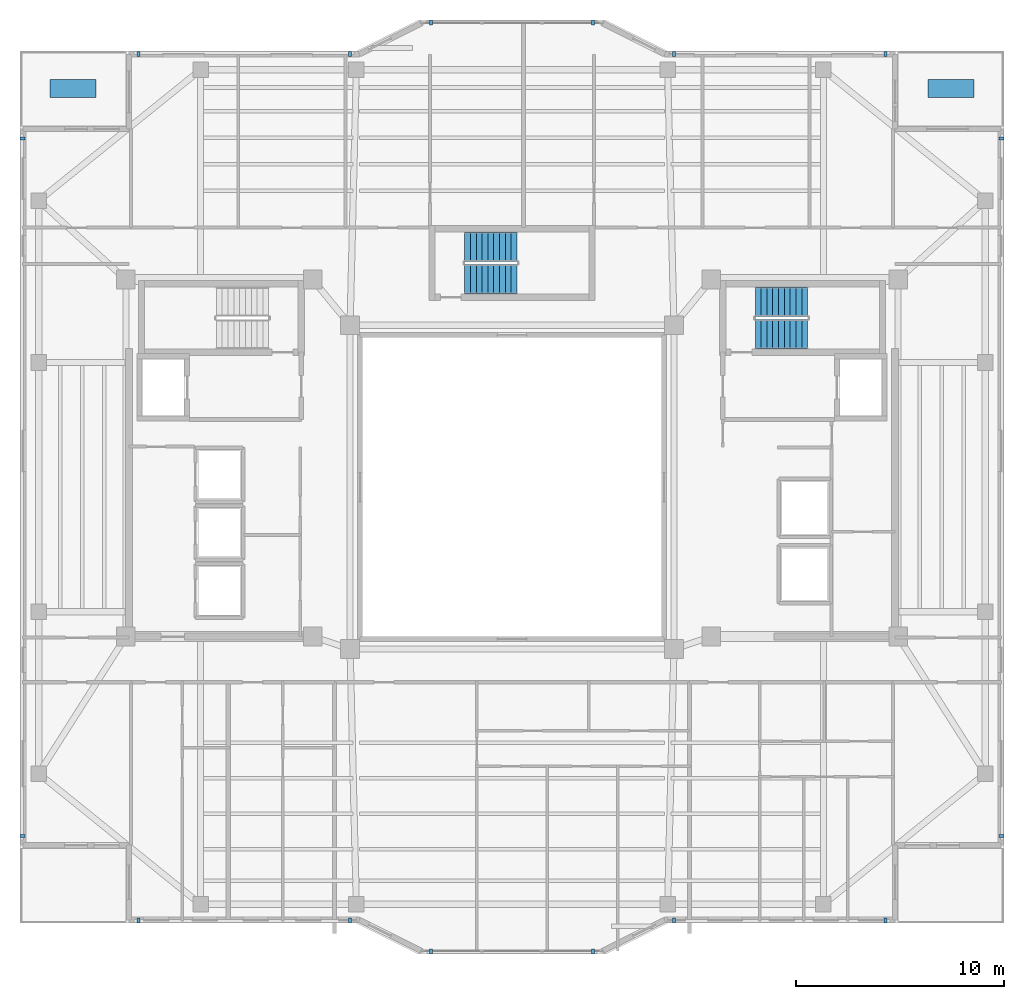
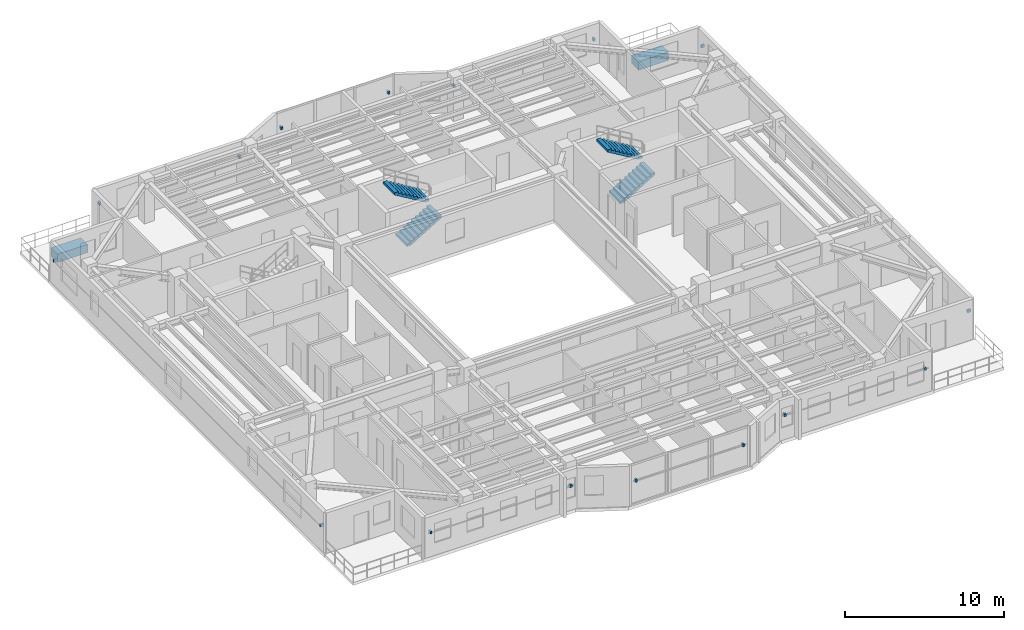
# One storey, part 11 of 15: 18 discrete accessories, 4 stair flights, 2 elements without a shape of their own.
"""IFC4 building model written with IfcOpenShell, lengths in metres."""

import ifcopenshell
import ifcopenshell.guid

model = None  # the IFC model being written
_history = None  # IfcOwnerHistory: only IFC2X3 demands one
_inside = {}  # id of a spatial element -> (the spatial element, [elements in it])
_under = {}  # id of a project, library or spatial element -> (it, [spatial elements below it])
_declared = {}  # id of a project -> (the project, [libraries it declares])
_typed = {}  # id of a type object -> (the type object, [elements of that type])
_made_of = {}  # id of a material, layer set ... -> (it, [elements and type objects made of it])


def new_model(schema):
    """Start an empty IFC model of exactly this schema.

    Asked for "IFC4X3", IfcOpenShell would pick the latest addendum, in which some entities
    have other attributes; the version numbers below select the first issue.
    IFC2X3 requires an IfcOwnerHistory on every rooted entity: one is made here for all.
    """
    global model, _history
    if schema == "IFC4X3":
        model = ifcopenshell.file(schema_version=(4, 3, 0, 0))
    else:
        model = ifcopenshell.file(schema=schema)
    _inside.clear()
    _under.clear()
    _declared.clear()
    _typed.clear()
    _made_of.clear()
    _history = None
    if model.schema == "IFC2X3":
        org = make("IfcOrganization", Name="unknown")
        user = make(
            "IfcPersonAndOrganization",
            ThePerson=make("IfcPerson", FamilyName="unknown"),
            TheOrganization=org,
        )
        app = make(
            "IfcApplication",
            ApplicationDeveloper=org,
            Version="unknown",
            ApplicationFullName="unknown",
            ApplicationIdentifier="unknown",
        )
        _history = make(
            "IfcOwnerHistory",
            OwningUser=user,
            OwningApplication=app,
            ChangeAction="ADDED",
            CreationDate=0,
        )
    return model


def make(cls, **values):
    """One entity of the class cls with the attributes given. An attribute that is None is left unset."""
    return model.create_entity(
        cls, **{name: value for name, value in values.items() if value is not None}
    )


def rooted(cls, **values):
    """An entity with a GlobalId (a new one), such as an element, a storey or a relation."""
    return make(cls, GlobalId=ifcopenshell.guid.new(), OwnerHistory=_history, **values)


def si_unit(unit_type, name, prefix=None):
    """IfcSIUnit, for example si_unit("LENGTHUNIT", "METRE", prefix="MILLI")."""
    return make("IfcSIUnit", UnitType=unit_type, Prefix=prefix, Name=name)


def assignment(units):
    """IfcUnitAssignment: the units of a project."""
    return None if units is None else make("IfcUnitAssignment", Units=units)


def point(xyz):
    """IfcCartesianPoint."""
    return None if xyz is None else make("IfcCartesianPoint", Coordinates=xyz)


def direction(xyz):
    """IfcDirection."""
    return None if xyz is None else make("IfcDirection", DirectionRatios=xyz)


def frame(location, z_axis=None, x_axis=None):
    """IfcAxis2Placement3D, a coordinate frame: its origin and axes. An axis left out is left unset."""
    return make(
        "IfcAxis2Placement3D",
        Location=point(location),
        Axis=direction(z_axis),
        RefDirection=direction(x_axis),
    )


def frame_2d(location, x_axis=None):
    """IfcAxis2Placement2D, a coordinate frame in the plane: its origin and x axis."""
    return make(
        "IfcAxis2Placement2D", Location=point(location), RefDirection=direction(x_axis)
    )


def origin():
    """The frame at (0, 0, 0) with its axes left unset."""
    return frame((0.0, 0.0, 0.0))


def origin_2d():
    """The frame at (0, 0) in the plane with its x axis left unset."""
    return frame_2d((0.0, 0.0))


def place(relative_to, where):
    """IfcLocalPlacement: puts the frame where relative to a parent placement (None: the world)."""
    return make(
        "IfcLocalPlacement", PlacementRelTo=relative_to, RelativePlacement=where
    )


def context(
    kind, dimensions, precision=None, world=None, true_north=None, identifier=None
):
    """IfcGeometricRepresentationContext, for example the 3D "Model" context."""
    return make(
        "IfcGeometricRepresentationContext",
        ContextIdentifier=identifier,
        ContextType=kind,
        CoordinateSpaceDimension=dimensions,
        Precision=precision,
        WorldCoordinateSystem=world,
        TrueNorth=true_north,
    )


def subcontext(parent, identifier, kind, view, scale=None):
    """IfcGeometricRepresentationSubContext, for example "Body" below "Model"."""
    return make(
        "IfcGeometricRepresentationSubContext",
        ContextIdentifier=identifier,
        ContextType=kind,
        ParentContext=parent,
        TargetScale=scale,
        TargetView=view,
    )


def project(units=None, contexts=None):
    """IfcProject with its units and contexts."""
    return rooted(
        "IfcProject",
        Name="project",
        RepresentationContexts=contexts,
        UnitsInContext=assignment(units),
    )


def spatial(cls, under=None, at=None, **own):
    """A site, building, storey or space (cls), placed at a placement, below another one or the project."""
    s = rooted(cls, ObjectPlacement=at, **own)
    if under is not None:
        _under.setdefault(under.id(), (under, []))[1].append(s)
    return s


def polyline(points):
    """IfcPolyline through the points."""
    return make("IfcPolyline", Points=[point(p) for p in points])


def profile(cls, at=None, kind="AREA", **sizes):
    """A parametric profile (cls). Its sizes go by their IFC names, for example OverallWidth=200.0."""
    return make(cls, ProfileType=kind, Position=at, **sizes)


def rectangle(**sizes):
    """IfcRectangleProfileDef."""
    return profile("IfcRectangleProfileDef", **sizes)


def outline(outer, holes=None, kind="AREA"):
    """IfcArbitraryClosedProfileDef: a profile drawn as a closed curve; with holes, ...WithVoids."""
    if holes is None:
        return make("IfcArbitraryClosedProfileDef", ProfileType=kind, OuterCurve=outer)
    return make(
        "IfcArbitraryProfileDefWithVoids",
        ProfileType=kind,
        OuterCurve=outer,
        InnerCurves=holes,
    )


def extrude(swept, where, along, depth):
    """IfcExtrudedAreaSolid: the profile swept, set in the frame where, extruded along a direction by depth."""
    return make(
        "IfcExtrudedAreaSolid",
        SweptArea=swept,
        Position=where,
        ExtrudedDirection=direction(along),
        Depth=depth,
    )


def shape(context_of_items, identifier, shape_type, items):
    """IfcShapeRepresentation: the items that make up one representation, for example the "Body"."""
    return make(
        "IfcShapeRepresentation",
        ContextOfItems=context_of_items,
        RepresentationIdentifier=identifier,
        RepresentationType=shape_type,
        Items=items,
    )


def material(Name=None, Category=None):
    """IfcMaterial."""
    return make("IfcMaterial", Name=Name, Category=Category)


def made_of(thing, what):
    """Note that an element or type object is made of a material, layer set ...; save() writes the relation."""
    if what is not None:
        _made_of.setdefault(what.id(), (what, []))[1].append(thing)
    return thing


def type_object(cls, material=None, **own):
    """A type object (cls), such as IfcWallType, which elements share."""
    return made_of(rooted(cls, **own), material)


def element(
    cls,
    number,
    at=None,
    inside=None,
    cuts=None,
    type_object=None,
    material=None,
    context=None,
    identifier="Body",
    shape_type=None,
    held_by="IfcProductDefinitionShape",
    body=None,
    shapes=None,
    **own,
):
    """One element of the class cls, such as IfcWall. Its Tag is "e" and its number.

    at: its placement. inside: the storey or other place that contains it. cuts: it is an
    opening in that element (IfcRelVoidsElement). A single representation is given by context,
    identifier, shape_type and body (its items); several are given by shapes. held_by: the class
    of the entity that holds the representations. save() writes the other relations.
    """
    e = rooted(cls, Tag="e%d" % number, ObjectPlacement=at, **own)
    if body is not None:
        shapes = [shape(context, identifier, shape_type, body)]
    if shapes is not None:
        e.Representation = make(held_by, Representations=shapes)
    if inside is not None:
        _inside.setdefault(inside.id(), (inside, []))[1].append(e)
    if cuts is not None:
        rooted(
            "IfcRelVoidsElement", RelatingBuildingElement=cuts, RelatedOpeningElement=e
        )
    if type_object is not None:
        _typed.setdefault(type_object.id(), (type_object, []))[1].append(e)
    return made_of(e, material)


def aggregate(whole, parts):
    """IfcRelAggregates: a whole, such as a stair, and the parts it consists of."""
    return rooted("IfcRelAggregates", RelatingObject=whole, RelatedObjects=parts)


def save(model, path):
    """Write the relations noted so far, then the file.

    IfcRelAggregates (storeys below a building ...), IfcRelContainedInSpatialStructure (elements
    in a storey), IfcRelDefinesByType, IfcRelAssociatesMaterial and IfcRelDeclares: one each for
    every whole, place, type object, material and project.
    """
    for whole, parts in _under.values():
        aggregate(whole, parts)
    for where, things in _inside.values():
        rooted(
            "IfcRelContainedInSpatialStructure",
            RelatedElements=things,
            RelatingStructure=where,
        )
    for kind, things in _typed.values():
        rooted("IfcRelDefinesByType", RelatedObjects=things, RelatingType=kind)
    for what, things in _made_of.values():
        rooted("IfcRelAssociatesMaterial", RelatedObjects=things, RelatingMaterial=what)
    for by, libraries in _declared.values():
        rooted("IfcRelDeclares", RelatingContext=by, RelatedDefinitions=libraries)
    model.write(path)


model = new_model("IFC4")

# Units and contexts
model_context = context("Model", 3, precision=1e-05, world=origin(), true_north=direction((0.0, 1.0)))
body_context = subcontext(model_context, "Body", "Model", "MODEL_VIEW")
ifc_project = project(units=[si_unit("LENGTHUNIT", "METRE"), si_unit("AREAUNIT", "SQUARE_METRE"), si_unit("VOLUMEUNIT", "CUBIC_METRE"), si_unit("PLANEANGLEUNIT", "RADIAN"), si_unit("MASSUNIT", "GRAM", prefix="KILO")], contexts=[model_context])

# Site, building, storey
site_placement = place(None, origin())
site = spatial("IfcSite", under=ifc_project, at=site_placement, CompositionType="ELEMENT")
building_placement = place(site_placement, origin())
building = spatial("IfcBuilding", under=site, at=building_placement, Name="Tarnavaz Court Tower", CompositionType="ELEMENT")
storey_placement = place(building_placement, frame((0.0, 0.0, 186.89990234375)))
storey = spatial("IfcBuildingStorey", under=building, at=storey_placement, Name="L50", CompositionType="ELEMENT", Elevation=186.89990234375)

# Stair, stair flights
ifc_material_1 = material(Name="Concrete C40/50", Category="concrete")
stair_type = type_object("IfcStairType", Name="ST-TWR-20R", PredefinedType="HALF_TURN_STAIR", material=ifc_material_1)
stair_1_placement = place(storey_placement, origin())
stair_1 = element("IfcStair", 1, at=stair_1_placement, inside=storey, type_object=stair_type, Name="L50 East Core Pressurized Exit Stair ST-E1", PredefinedType="HALF_TURN_STAIR")
stair_flight_type = type_object("IfcStairFlightType", Name="SFL-RC-20R", PredefinedType="STRAIGHT", material=ifc_material_1)
stair_flight_1_placement = place(storey_placement, frame((11.719970703125, 7.360107421875, 0.0), z_axis=(0.0, 0.0, 1.0), x_axis=(1.0, 0.0, 0.0)))
stair_flight_1 = element("IfcStairFlight", 2, at=stair_flight_1_placement, type_object=stair_flight_type, Name="ST-E1 flight 1", NumberOfRisers=10, NumberOfTreads=9, PredefinedType="STRAIGHT", RiserHeight=0.1675, TreadLength=0.28, context=body_context, shape_type="SweptSolid", body=[
    extrude(outline(polyline([(0.0, 0.0), (0.0, 0.16748046875), (0.280029296875, 0.16748046875), (0.280029296875, 0.3349609375), (0.56005859375, 0.3349609375), (0.56005859375, 0.50244140625), (0.840087890625, 0.50244140625), (0.840087890625, 0.669921875), (1.1201171875, 0.669921875), (1.1201171875, 0.83740234375), (1.39990234375, 0.83740234375), (1.39990234375, 1.0048828125), (1.679931640625, 1.0048828125), (1.679931640625, 1.172607421875), (1.9599609375, 1.172607421875), (1.9599609375, 1.340087890625), (2.239990234375, 1.340087890625), (2.239990234375, 1.507568359375), (2.52001953125, 1.507568359375), (2.52001953125, 1.675048828125), (2.52001953125, 1.332763671875), (0.2919921875, 0.0), (0.0, 0.0)])), frame((0.0, 0.7099609375, 0.0), z_axis=(0.0, -1.0, 0.0), x_axis=(1.0, 0.0, 0.0)), (0.0, 0.0, 1.0), 1.419921875),
])
stair_flight_2_placement = place(storey_placement, frame((14.239990234375, 8.929931640625, 1.675048828125), z_axis=(0.0, 0.0, 1.0), x_axis=(-1.0, 0.0, 0.0)))
stair_flight_2 = element("IfcStairFlight", 3, at=stair_flight_2_placement, type_object=stair_flight_type, Name="ST-E1 flight 2", NumberOfRisers=10, NumberOfTreads=9, PredefinedType="STRAIGHT", RiserHeight=0.1675, TreadLength=0.28, context=body_context, shape_type="SweptSolid", body=[
    extrude(outline(polyline([(0.0, 0.0), (0.0, 0.16748046875), (0.280029296875, 0.16748046875), (0.280029296875, 0.3349609375), (0.56005859375, 0.3349609375), (0.56005859375, 0.50244140625), (0.840087890625, 0.50244140625), (0.840087890625, 0.669921875), (1.1201171875, 0.669921875), (1.1201171875, 0.83740234375), (1.39990234375, 0.83740234375), (1.39990234375, 1.0048828125), (1.679931640625, 1.0048828125), (1.679931640625, 1.172607421875), (1.9599609375, 1.172607421875), (1.9599609375, 1.340087890625), (2.239990234375, 1.340087890625), (2.239990234375, 1.507568359375), (2.52001953125, 1.507568359375), (2.52001953125, 1.675048828125), (2.52001953125, 1.332763671875), (0.2919921875, 0.0), (0.0, 0.0)])), frame((0.0, 0.7099609375, 0.0), z_axis=(0.0, -1.0, 0.0), x_axis=(1.0, 0.0, 0.0)), (0.0, 0.0, 1.0), 1.419921875),
])
aggregate(stair_1, [stair_flight_1, stair_flight_2])

stair_2_placement = place(storey_placement, origin())
stair_2 = element("IfcStair", 4, at=stair_2_placement, inside=storey, type_object=stair_type, Name="L50 North Ring Pressurized Exit Stair ST-N1", PredefinedType="HALF_TURN_STAIR")
stair_flight_3_placement = place(storey_placement, frame((-2.280029296875, 10.010009765625, 0.0), z_axis=(0.0, 0.0, 1.0), x_axis=(1.0, 0.0, 0.0)))
stair_flight_3 = element("IfcStairFlight", 5, at=stair_flight_3_placement, type_object=stair_flight_type, Name="ST-N1 flight 1", NumberOfRisers=10, NumberOfTreads=9, PredefinedType="STRAIGHT", RiserHeight=0.1675, TreadLength=0.28, context=body_context, shape_type="SweptSolid", body=[
    extrude(outline(polyline([(0.0, 0.0), (0.0, 0.16748046875), (0.280029296875, 0.16748046875), (0.280029296875, 0.3349609375), (0.56005859375, 0.3349609375), (0.56005859375, 0.50244140625), (0.840087890625, 0.50244140625), (0.840087890625, 0.669921875), (1.1201171875, 0.669921875), (1.1201171875, 0.83740234375), (1.39990234375, 0.83740234375), (1.39990234375, 1.0048828125), (1.679931640625, 1.0048828125), (1.679931640625, 1.172607421875), (1.9599609375, 1.172607421875), (1.9599609375, 1.340087890625), (2.239990234375, 1.340087890625), (2.239990234375, 1.507568359375), (2.52001953125, 1.507568359375), (2.52001953125, 1.675048828125), (2.52001953125, 1.332763671875), (0.2919921875, 0.0), (0.0, 0.0)])), frame((0.0, 0.7099609375, 0.0), z_axis=(0.0, -1.0, 0.0), x_axis=(1.0, 0.0, 0.0)), (0.0, 0.0, 1.0), 1.419921875),
])
stair_flight_4_placement = place(storey_placement, frame((0.239990234375, 11.580078125, 1.675048828125), z_axis=(0.0, 0.0, 1.0), x_axis=(-1.0, 0.0, 0.0)))
stair_flight_4 = element("IfcStairFlight", 6, at=stair_flight_4_placement, type_object=stair_flight_type, Name="ST-N1 flight 2", NumberOfRisers=10, NumberOfTreads=9, PredefinedType="STRAIGHT", RiserHeight=0.1675, TreadLength=0.28, context=body_context, shape_type="SweptSolid", body=[
    extrude(outline(polyline([(0.0, 0.0), (0.0, 0.16748046875), (0.280029296875, 0.16748046875), (0.280029296875, 0.3349609375), (0.56005859375, 0.3349609375), (0.56005859375, 0.50244140625), (0.840087890625, 0.50244140625), (0.840087890625, 0.669921875), (1.1201171875, 0.669921875), (1.1201171875, 0.83740234375), (1.39990234375, 0.83740234375), (1.39990234375, 1.0048828125), (1.679931640625, 1.0048828125), (1.679931640625, 1.172607421875), (1.9599609375, 1.172607421875), (1.9599609375, 1.340087890625), (2.239990234375, 1.340087890625), (2.239990234375, 1.507568359375), (2.52001953125, 1.507568359375), (2.52001953125, 1.675048828125), (2.52001953125, 1.332763671875), (0.2919921875, 0.0), (0.0, 0.0)])), frame((0.0, 0.7099609375, 0.0), z_axis=(0.0, -1.0, 0.0), x_axis=(1.0, 0.0, 0.0)), (0.0, 0.0, 1.0), 1.419921875),
])
aggregate(stair_2, [stair_flight_3, stair_flight_4])

# Discrete accessories
ifc_material_2 = material(Name="Anodised Aluminium 6063-T6", Category="aluminium")
discrete_accessory_type_1 = type_object("IfcDiscreteAccessoryType", Name="DA-BRKT-ALU", PredefinedType="BRACKET", material=ifc_material_2)
for number, where, z_axis, x_axis, name in (
    (7, (-23.570068359375, -16.800048828125, 1.75), (0.0, 0.0, 1.0), (0.0, 1.0, 0.0), "L50 Baguette Outrigger Bracket FBG02-1"),
    (8, (-23.570068359375, 16.800048828125, 1.75), (0.0, 0.0, 1.0), (0.0, 1.0, 0.0), "L50 Baguette Outrigger Bracket FBG02-2"),
    (9, (-18.0, 20.8701171875, 1.75), (0.0, 0.0, 1.0), (1.0, 0.0, 0.0), "L50 Baguette Outrigger Bracket FBG05-1"),
    (10, (-7.800048828125, 20.8701171875, 1.75), (0.0, 0.0, 1.0), (1.0, 0.0, 0.0), "L50 Baguette Outrigger Bracket FBG05-2"),
    (11, (-3.89990234375, 22.3701171875, 1.7001953125), (0.0, 0.0, 1.0), (1.0, 0.0, 0.0), "L50 Baguette Outrigger Bracket PBG7-1"),
    (12, (3.89990234375, 22.3701171875, 1.7001953125), (0.0, 0.0, 1.0), (1.0, 0.0, 0.0), "L50 Baguette Outrigger Bracket PBG7-2"),
    (13, (7.800048828125, 20.8701171875, 1.75), (0.0, 0.0, 1.0), (1.0, 0.0, 0.0), "L50 Baguette Outrigger Bracket FBG09-1"),
    (14, (18.0, 20.8701171875, 1.75), (0.0, 0.0, 1.0), (1.0, 0.0, 0.0), "L50 Baguette Outrigger Bracket FBG09-2"),
    (15, (23.570068359375, 16.800048828125, 1.75), (0.0, 0.0, 1.0), (0.0, -1.0, 0.0), "L50 Baguette Outrigger Bracket FBG12-1"),
    (16, (23.570068359375, -16.800048828125, 1.75), (0.0, 0.0, 1.0), (0.0, -1.0, 0.0), "L50 Baguette Outrigger Bracket FBG12-2"),
    (17, (18.0, -20.8701171875, 1.75), (0.0, 0.0, 1.0), (-1.0, 0.0, 0.0), "L50 Baguette Outrigger Bracket FBG15-1"),
    (18, (7.800048828125, -20.8701171875, 1.75), (0.0, 0.0, 1.0), (-1.0, 0.0, 0.0), "L50 Baguette Outrigger Bracket FBG15-2"),
    (19, (3.89990234375, -22.3701171875, 1.7001953125), (0.0, 0.0, 1.0), (-1.0, 0.0, 0.0), "L50 Baguette Outrigger Bracket PBG17-1"),
    (20, (-3.89990234375, -22.3701171875, 1.7001953125), (0.0, 0.0, 1.0), (-1.0, 0.0, 0.0), "L50 Baguette Outrigger Bracket PBG17-2"),
    (21, (-7.800048828125, -20.8701171875, 1.75), (0.0, 0.0, 1.0), (-1.0, 0.0, 0.0), "L50 Baguette Outrigger Bracket FBG19-1"),
    (22, (-18.0, -20.8701171875, 1.75), (0.0, 0.0, 1.0), (-1.0, 0.0, 0.0), "L50 Baguette Outrigger Bracket FBG19-2"),
):
    element("IfcDiscreteAccessory", number, at=place(storey_placement, frame(where, z_axis=z_axis, x_axis=x_axis)), inside=storey, type_object=discrete_accessory_type_1, Name=name, PredefinedType="BRACKET", context=body_context, shape_type="SweptSolid", body=[
        extrude(rectangle(XDim=0.139892578125, YDim=0.239990234375, at=origin_2d()), origin(), (0.0, 0.0, 1.0), 0.199951171875),
    ])
ifc_material_3 = material(Name="Terracotta Architectural Planter Trough", Category="masonry")
discrete_accessory_type_2 = type_object("IfcDiscreteAccessoryType", Name="DA-PLANTER-TC", PredefinedType="USERDEFINED", material=ifc_material_3)
for number, where, z_axis, x_axis, name in (
    (23, (21.14990234375, 19.199951171875, 0.000244140625), (0.0, 0.0, 1.0), (1.0, 0.0, 0.0), "L50 Chahar-Bagh Terracotta Landscape Planter 1"),
    (24, (-21.14990234375, 19.199951171875, 0.000244140625), (0.0, 0.0, 1.0), (1.0, 0.0, 0.0), "L50 Chahar-Bagh Terracotta Landscape Planter 2"),
):
    element("IfcDiscreteAccessory", number, at=place(storey_placement, frame(where, z_axis=z_axis, x_axis=x_axis)), inside=storey, type_object=discrete_accessory_type_2, Name=name, ObjectType="PLANTER", PredefinedType="USERDEFINED", context=body_context, shape_type="SweptSolid", body=[
        extrude(rectangle(XDim=2.199951171875, YDim=0.85009765625, at=origin_2d()), origin(), (0.0, 0.0, 1.0), 0.64990234375),
    ])

save(model, "model.ifc")
